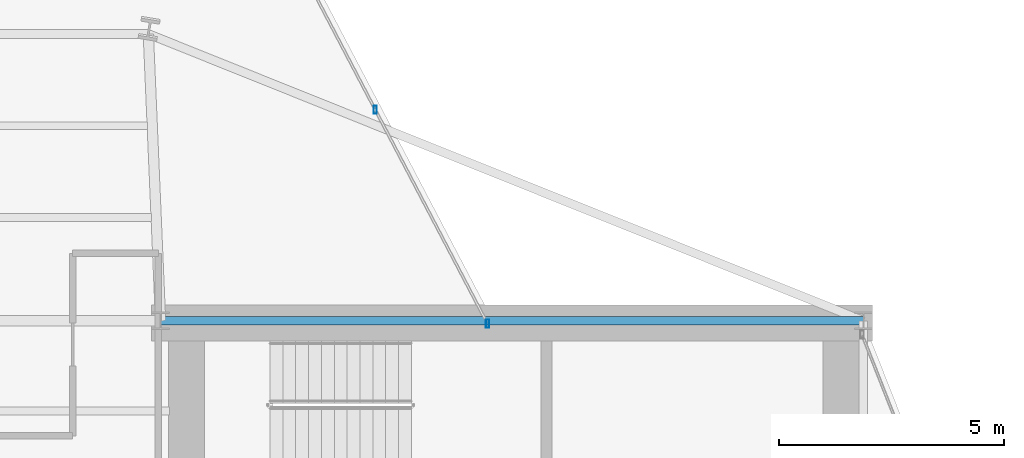
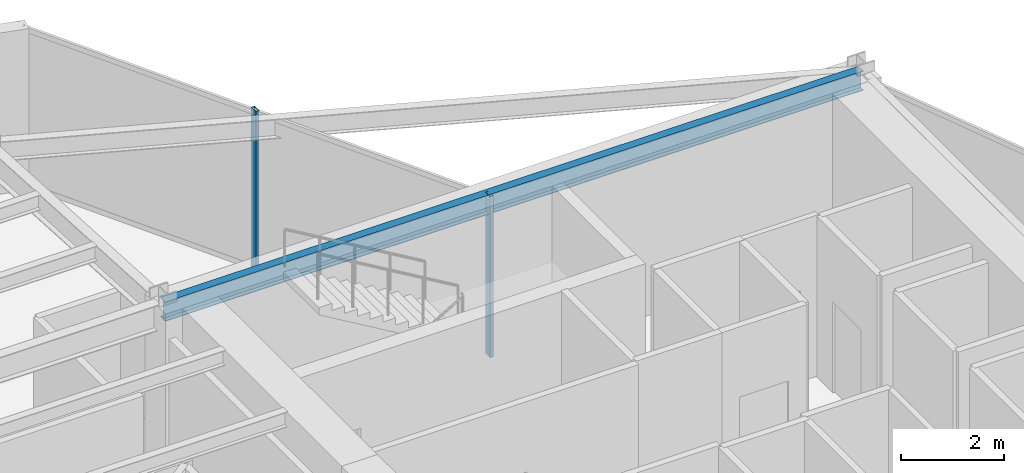
# One storey, part 15 of 25: 2 members, 1 beam, 1 element without a shape of its own.
"""IFC4 building model written with IfcOpenShell, lengths in metres."""

from ifc_helpers import new_model, si_unit, direction, frame, origin, origin_2d, place, context, subcontext, project, spatial, hollow_rectangle, i_section, extrude, material, layer, layer_set, material_profile, profile_set, type_object, element, aggregate, save


model = new_model("IFC4")

# Units and contexts
model_context = context("Model", 3, precision=1e-05, world=origin(), true_north=direction((0.0, 1.0)))
body_context = subcontext(model_context, "Body", "Model", "MODEL_VIEW")
ifc_project = project(units=[si_unit("LENGTHUNIT", "METRE"), si_unit("AREAUNIT", "SQUARE_METRE"), si_unit("VOLUMEUNIT", "CUBIC_METRE"), si_unit("PLANEANGLEUNIT", "RADIAN"), si_unit("MASSUNIT", "GRAM", prefix="KILO")], contexts=[model_context])

# Site, building, storey
site_placement = place(None, origin())
site = spatial("IfcSite", under=ifc_project, at=site_placement, CompositionType="ELEMENT")
building_placement = place(site_placement, origin())
building = spatial("IfcBuilding", under=site, at=building_placement, Name="Veymaron Broadcast Tower", CompositionType="ELEMENT")
storey_placement = place(building_placement, frame((0.0, 0.0, 149.25)))
storey = spatial("IfcBuildingStorey", under=building, at=storey_placement, Name="L34", CompositionType="ELEMENT", Elevation=149.25)

# Beam
ifc_material_1 = material(Name="Structural steel ASTM A992 Gr 50", Category="steel")
ifc_material_profile_1 = material_profile(ifc_material_1, i_section(OverallWidth=0.19091796875, OverallDepth=0.4599609375, WebThickness=0.010009765625, FlangeThickness=0.01611328125, at=origin_2d()), Name="W460X82")
ifc_profile_set_1 = profile_set([ifc_material_profile_1], Name="Structural steel ASTM A992 Gr 50")
beam_type = type_object("IfcBeamType", Name="BM-SP1", PredefinedType="SPANDREL", material=ifc_profile_set_1)
beam_placement = place(storey_placement, frame((39.0, 32.0, 3.580078125), z_axis=(1.0, 0.0, 0.0), x_axis=(0.0, 1.0, 0.0)))
element("IfcBeam", 1, at=beam_placement, inside=storey, type_object=beam_type, Name="L34 primary structural floor girder", PredefinedType="SPANDREL", context=body_context, shape_type="SweptSolid", body=[
    extrude(i_section(OverallWidth=0.19091796875, OverallDepth=0.4599609375, WebThickness=0.010009765625, FlangeThickness=0.01611328125, at=origin_2d()), origin(), (0.0, 0.0, 1.0), 15.60009765625),
])

# Curtain wall, members
ifc_material_2 = material(Name="Anodised aluminium AA 6063-T6 and laminated low-E dark glass", Category="aluminium")
ifc_layer = layer(ifc_material_2, 0.179931640625)
ifc_layer_set = layer_set([ifc_layer], Name="Anodised aluminium AA 6063-T6 and laminated low-E dark glass")
curtain_wall_type = type_object("IfcCurtainWallType", Name="CW-SYS-03", PredefinedType="NOTDEFINED", material=ifc_layer_set)
curtain_wall_placement = place(storey_placement, origin())
curtain_wall = element("IfcCurtainWall", 2, at=curtain_wall_placement, inside=storey, type_object=curtain_wall_type, Name="L34 dark-glass curtain wall CW-L34-E5-1", PredefinedType="NOTDEFINED")
ifc_material_3 = material(Name="Anodised aluminium AA 6063-T6", Category="aluminium")
ifc_material_profile_2 = material_profile(ifc_material_3, hollow_rectangle(XDim=0.074951171875, YDim=0.179931640625, WallThickness=0.0048828125, at=origin_2d()), Name="AL180X75X5")
ifc_profile_set_2 = profile_set([ifc_material_profile_2], Name="Anodised aluminium AA 6063-T6")
member_type = type_object("IfcMemberType", Name="CW-MUL-02", PredefinedType="MULLION", material=ifc_profile_set_2)
member_1_placement = place(storey_placement, frame((46.25634765625, 31.93505859375, 0.0), z_axis=(0.0, 0.0, 1.0), x_axis=(1.0, 0.0, 0.0)))
member_1 = element("IfcMember", 3, at=member_1_placement, type_object=member_type, Name="CW-L34-E5-1 mullion 0", PredefinedType="MULLION", context=body_context, shape_type="SweptSolid", body=[
    extrude(hollow_rectangle(XDim=0.074951171875, YDim=0.179931640625, WallThickness=0.0048828125, at=origin_2d()), origin(), (0.0, 0.0, 1.0), 3.81005859375),
])
member_2_placement = place(storey_placement, frame((43.76513671875, 36.68505859375, 0.0), z_axis=(0.0, 0.0, 1.0), x_axis=(1.0, 0.0, 0.0)))
member_2 = element("IfcMember", 4, at=member_2_placement, type_object=member_type, Name="CW-L34-E5-1 mullion 1", PredefinedType="MULLION", context=body_context, shape_type="SweptSolid", body=[
    extrude(hollow_rectangle(XDim=0.074951171875, YDim=0.179931640625, WallThickness=0.0048828125, at=origin_2d()), origin(), (0.0, 0.0, 1.0), 3.81005859375),
])
aggregate(curtain_wall, [member_1, member_2])

save(model, "model.ifc")
